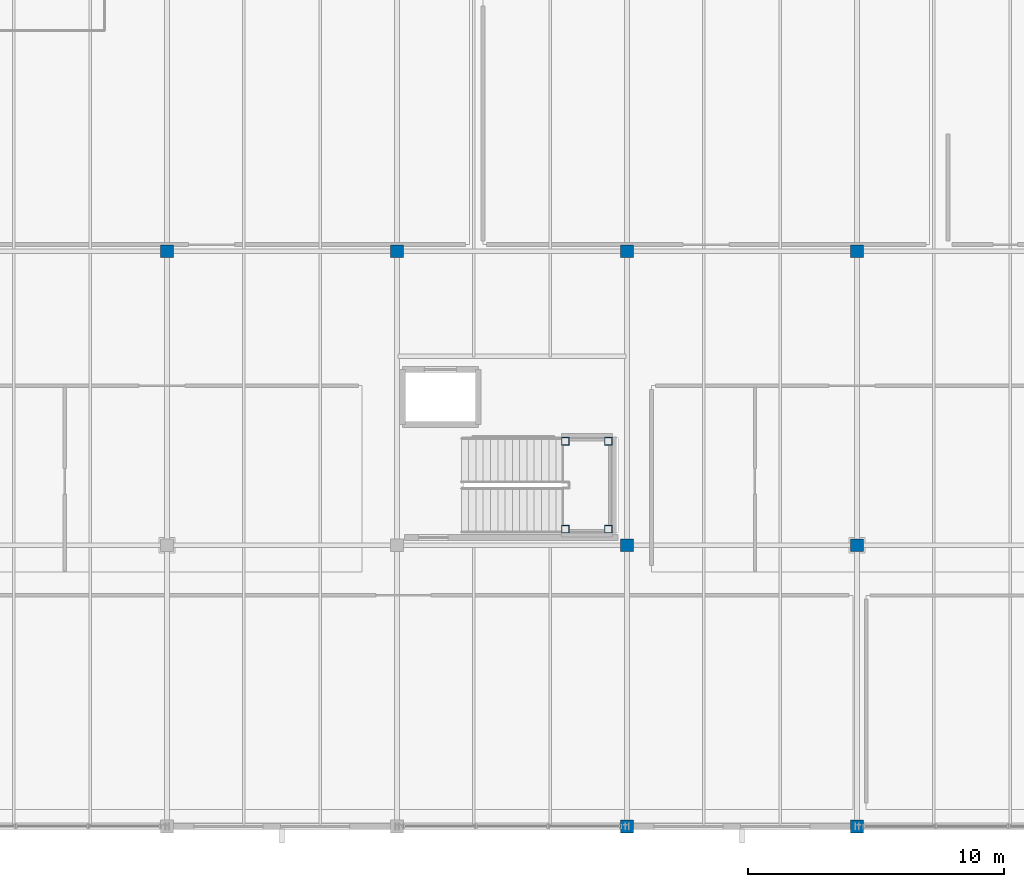
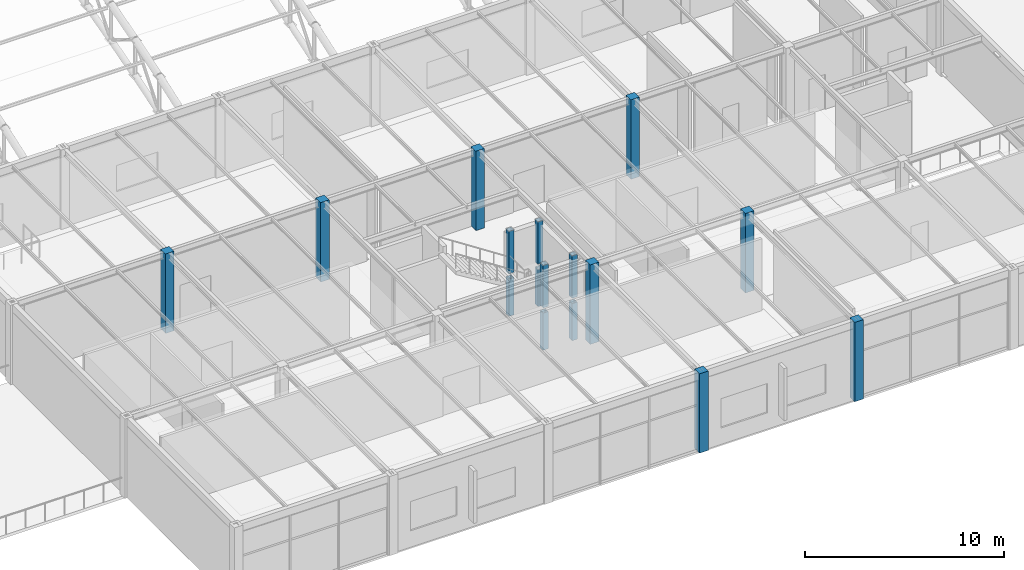
# One storey, part 9 of 195: 16 columns.
"""IFC4 building model written with IfcOpenShell, lengths in metres."""

import ifcopenshell
import ifcopenshell.guid

model = None  # the IFC model being written
_history = None  # IfcOwnerHistory: only IFC2X3 demands one
_inside = {}  # id of a spatial element -> (the spatial element, [elements in it])
_under = {}  # id of a project, library or spatial element -> (it, [spatial elements below it])
_declared = {}  # id of a project -> (the project, [libraries it declares])
_typed = {}  # id of a type object -> (the type object, [elements of that type])
_made_of = {}  # id of a material, layer set ... -> (it, [elements and type objects made of it])


def new_model(schema):
    """Start an empty IFC model of exactly this schema.

    Asked for "IFC4X3", IfcOpenShell would pick the latest addendum, in which some entities
    have other attributes; the version numbers below select the first issue.
    IFC2X3 requires an IfcOwnerHistory on every rooted entity: one is made here for all.
    """
    global model, _history
    if schema == "IFC4X3":
        model = ifcopenshell.file(schema_version=(4, 3, 0, 0))
    else:
        model = ifcopenshell.file(schema=schema)
    _inside.clear()
    _under.clear()
    _declared.clear()
    _typed.clear()
    _made_of.clear()
    _history = None
    if model.schema == "IFC2X3":
        org = make("IfcOrganization", Name="unknown")
        user = make(
            "IfcPersonAndOrganization",
            ThePerson=make("IfcPerson", FamilyName="unknown"),
            TheOrganization=org,
        )
        app = make(
            "IfcApplication",
            ApplicationDeveloper=org,
            Version="unknown",
            ApplicationFullName="unknown",
            ApplicationIdentifier="unknown",
        )
        _history = make(
            "IfcOwnerHistory",
            OwningUser=user,
            OwningApplication=app,
            ChangeAction="ADDED",
            CreationDate=0,
        )
    return model


def make(cls, **values):
    """One entity of the class cls with the attributes given. An attribute that is None is left unset."""
    return model.create_entity(
        cls, **{name: value for name, value in values.items() if value is not None}
    )


def rooted(cls, **values):
    """An entity with a GlobalId (a new one), such as an element, a storey or a relation."""
    return make(cls, GlobalId=ifcopenshell.guid.new(), OwnerHistory=_history, **values)


def si_unit(unit_type, name, prefix=None):
    """IfcSIUnit, for example si_unit("LENGTHUNIT", "METRE", prefix="MILLI")."""
    return make("IfcSIUnit", UnitType=unit_type, Prefix=prefix, Name=name)


def assignment(units):
    """IfcUnitAssignment: the units of a project."""
    return None if units is None else make("IfcUnitAssignment", Units=units)


def point(xyz):
    """IfcCartesianPoint."""
    return None if xyz is None else make("IfcCartesianPoint", Coordinates=xyz)


def direction(xyz):
    """IfcDirection."""
    return None if xyz is None else make("IfcDirection", DirectionRatios=xyz)


def frame(location, z_axis=None, x_axis=None):
    """IfcAxis2Placement3D, a coordinate frame: its origin and axes. An axis left out is left unset."""
    return make(
        "IfcAxis2Placement3D",
        Location=point(location),
        Axis=direction(z_axis),
        RefDirection=direction(x_axis),
    )


def frame_2d(location, x_axis=None):
    """IfcAxis2Placement2D, a coordinate frame in the plane: its origin and x axis."""
    return make(
        "IfcAxis2Placement2D", Location=point(location), RefDirection=direction(x_axis)
    )


def origin():
    """The frame at (0, 0, 0) with its axes left unset."""
    return frame((0.0, 0.0, 0.0))


def origin_2d():
    """The frame at (0, 0) in the plane with its x axis left unset."""
    return frame_2d((0.0, 0.0))


def place(relative_to, where):
    """IfcLocalPlacement: puts the frame where relative to a parent placement (None: the world)."""
    return make(
        "IfcLocalPlacement", PlacementRelTo=relative_to, RelativePlacement=where
    )


def context(
    kind, dimensions, precision=None, world=None, true_north=None, identifier=None
):
    """IfcGeometricRepresentationContext, for example the 3D "Model" context."""
    return make(
        "IfcGeometricRepresentationContext",
        ContextIdentifier=identifier,
        ContextType=kind,
        CoordinateSpaceDimension=dimensions,
        Precision=precision,
        WorldCoordinateSystem=world,
        TrueNorth=true_north,
    )


def subcontext(parent, identifier, kind, view, scale=None):
    """IfcGeometricRepresentationSubContext, for example "Body" below "Model"."""
    return make(
        "IfcGeometricRepresentationSubContext",
        ContextIdentifier=identifier,
        ContextType=kind,
        ParentContext=parent,
        TargetScale=scale,
        TargetView=view,
    )


def project(units=None, contexts=None):
    """IfcProject with its units and contexts."""
    return rooted(
        "IfcProject",
        Name="project",
        RepresentationContexts=contexts,
        UnitsInContext=assignment(units),
    )


def spatial(cls, under=None, at=None, **own):
    """A site, building, storey or space (cls), placed at a placement, below another one or the project."""
    s = rooted(cls, ObjectPlacement=at, **own)
    if under is not None:
        _under.setdefault(under.id(), (under, []))[1].append(s)
    return s


def profile(cls, at=None, kind="AREA", **sizes):
    """A parametric profile (cls). Its sizes go by their IFC names, for example OverallWidth=200.0."""
    return make(cls, ProfileType=kind, Position=at, **sizes)


def rectangle(**sizes):
    """IfcRectangleProfileDef."""
    return profile("IfcRectangleProfileDef", **sizes)


def hollow_rectangle(**sizes):
    """IfcRectangleHollowProfileDef."""
    return profile("IfcRectangleHollowProfileDef", **sizes)


def extrude(swept, where, along, depth):
    """IfcExtrudedAreaSolid: the profile swept, set in the frame where, extruded along a direction by depth."""
    return make(
        "IfcExtrudedAreaSolid",
        SweptArea=swept,
        Position=where,
        ExtrudedDirection=direction(along),
        Depth=depth,
    )


def shape(context_of_items, identifier, shape_type, items):
    """IfcShapeRepresentation: the items that make up one representation, for example the "Body"."""
    return make(
        "IfcShapeRepresentation",
        ContextOfItems=context_of_items,
        RepresentationIdentifier=identifier,
        RepresentationType=shape_type,
        Items=items,
    )


def material(Name=None, Category=None):
    """IfcMaterial."""
    return make("IfcMaterial", Name=Name, Category=Category)


def material_profile(
    of_material, cross_section, Name=None, Category=None, Priority=None
):
    """IfcMaterialProfile: a cross section and its material."""
    return make(
        "IfcMaterialProfile",
        Name=Name,
        Material=of_material,
        Profile=cross_section,
        Priority=Priority,
        Category=Category,
    )


def profile_set(profiles, Name=None, composite=None):
    """IfcMaterialProfileSet."""
    return make(
        "IfcMaterialProfileSet",
        Name=Name,
        MaterialProfiles=profiles,
        CompositeProfile=composite,
    )


def made_of(thing, what):
    """Note that an element or type object is made of a material, layer set ...; save() writes the relation."""
    if what is not None:
        _made_of.setdefault(what.id(), (what, []))[1].append(thing)
    return thing


def type_object(cls, material=None, **own):
    """A type object (cls), such as IfcWallType, which elements share."""
    return made_of(rooted(cls, **own), material)


def element(
    cls,
    number,
    at=None,
    inside=None,
    cuts=None,
    type_object=None,
    material=None,
    context=None,
    identifier="Body",
    shape_type=None,
    held_by="IfcProductDefinitionShape",
    body=None,
    shapes=None,
    **own,
):
    """One element of the class cls, such as IfcWall. Its Tag is "e" and its number.

    at: its placement. inside: the storey or other place that contains it. cuts: it is an
    opening in that element (IfcRelVoidsElement). A single representation is given by context,
    identifier, shape_type and body (its items); several are given by shapes. held_by: the class
    of the entity that holds the representations. save() writes the other relations.
    """
    e = rooted(cls, Tag="e%d" % number, ObjectPlacement=at, **own)
    if body is not None:
        shapes = [shape(context, identifier, shape_type, body)]
    if shapes is not None:
        e.Representation = make(held_by, Representations=shapes)
    if inside is not None:
        _inside.setdefault(inside.id(), (inside, []))[1].append(e)
    if cuts is not None:
        rooted(
            "IfcRelVoidsElement", RelatingBuildingElement=cuts, RelatedOpeningElement=e
        )
    if type_object is not None:
        _typed.setdefault(type_object.id(), (type_object, []))[1].append(e)
    return made_of(e, material)


def aggregate(whole, parts):
    """IfcRelAggregates: a whole, such as a stair, and the parts it consists of."""
    return rooted("IfcRelAggregates", RelatingObject=whole, RelatedObjects=parts)


def save(model, path):
    """Write the relations noted so far, then the file.

    IfcRelAggregates (storeys below a building ...), IfcRelContainedInSpatialStructure (elements
    in a storey), IfcRelDefinesByType, IfcRelAssociatesMaterial and IfcRelDeclares: one each for
    every whole, place, type object, material and project.
    """
    for whole, parts in _under.values():
        aggregate(whole, parts)
    for where, things in _inside.values():
        rooted(
            "IfcRelContainedInSpatialStructure",
            RelatedElements=things,
            RelatingStructure=where,
        )
    for kind, things in _typed.values():
        rooted("IfcRelDefinesByType", RelatedObjects=things, RelatingType=kind)
    for what, things in _made_of.values():
        rooted("IfcRelAssociatesMaterial", RelatedObjects=things, RelatingMaterial=what)
    for by, libraries in _declared.values():
        rooted("IfcRelDeclares", RelatingContext=by, RelatedDefinitions=libraries)
    model.write(path)


model = new_model("IFC4")

# Units and contexts
model_context = context("Model", 3, precision=1e-05, world=origin(), true_north=direction((0.0, 1.0)))
body_context = subcontext(model_context, "Body", "Model", "MODEL_VIEW")
ifc_project = project(units=[si_unit("LENGTHUNIT", "METRE"), si_unit("AREAUNIT", "SQUARE_METRE"), si_unit("VOLUMEUNIT", "CUBIC_METRE"), si_unit("PLANEANGLEUNIT", "RADIAN"), si_unit("MASSUNIT", "GRAM", prefix="KILO")], contexts=[model_context])

# Site, building, storey
site_placement = place(None, origin())
site = spatial("IfcSite", under=ifc_project, at=site_placement, CompositionType="ELEMENT")
building_placement = place(site_placement, origin())
building = spatial("IfcBuilding", under=site, at=building_placement, Name="Marlcrest Central Station", CompositionType="ELEMENT")
storey_placement = place(building_placement, frame((0.0, 0.0, 9.800048828125)))
storey = spatial("IfcBuildingStorey", under=building, at=storey_placement, Name="L02", CompositionType="ELEMENT", Elevation=9.800048828125)

# Columns
ifc_material_1 = material(Name="Concrete C40/50", Category="concrete")
ifc_material_profile_1 = material_profile(ifc_material_1, rectangle(XDim=0.5, YDim=0.5, at=origin_2d()), Name="RC 500x500")
ifc_profile_set_1 = profile_set([ifc_material_profile_1], Name="Concrete C40/50")
column_type_1 = type_object("IfcColumnType", Name="RC-02", PredefinedType="COLUMN", material=ifc_profile_set_1)
for number, where, z_axis, x_axis, name in (
    (1, (162.0, 22.5, 0.0), (0.0, 0.0, 1.0), (1.0, 0.0, 0.0), "col-RC-02-L02-0340"),
    (2, (171.0, 22.5, 0.0), (0.0, 0.0, 1.0), (1.0, 0.0, 0.0), "col-RC-02-L02-0344"),
    (3, (180.0, 0.0, 0.0), (0.0, 0.0, 1.0), (1.0, 0.0, 0.0), "col-RC-02-L02-0346"),
    (4, (180.0, 11.0, 0.0), (0.0, 0.0, 1.0), (1.0, 0.0, 0.0), "col-RC-02-L02-0347"),
    (5, (180.0, 22.5, 0.0), (0.0, 0.0, 1.0), (1.0, 0.0, 0.0), "col-RC-02-L02-0348"),
    (6, (189.0, 0.0, 0.0), (0.0, 0.0, 1.0), (1.0, 0.0, 0.0), "col-RC-02-L02-0350"),
    (7, (189.0, 11.0, 0.0), (0.0, 0.0, 1.0), (1.0, 0.0, 0.0), "col-RC-02-L02-0351"),
    (8, (189.0, 22.5, 0.0), (0.0, 0.0, 1.0), (1.0, 0.0, 0.0), "col-RC-02-L02-0352"),
):
    element("IfcColumn", number, at=place(storey_placement, frame(where, z_axis=z_axis, x_axis=x_axis)), inside=storey, type_object=column_type_1, Name=name, PredefinedType="COLUMN", context=body_context, shape_type="SweptSolid", body=[
        extrude(rectangle(XDim=0.5, YDim=0.5, at=origin_2d()), origin(), (0.0, 0.0, 1.0), 4.869873046875),
    ])
ifc_material_2 = material(Name="Steel S355", Category="steel")
ifc_material_profile_2 = material_profile(ifc_material_2, hollow_rectangle(XDim=0.300048828125, YDim=0.300048828125, WallThickness=0.01611328125, at=origin_2d()), Name="SHS 300x300x16")
ifc_profile_set_2 = profile_set([ifc_material_profile_2], Name="Steel S355")
column_type_2 = type_object("IfcColumnType", Name="SC-19", PredefinedType="COLUMN", material=ifc_profile_set_2)
column_1_placement = place(storey_placement, frame((177.590087890625, 11.6298828125, 0.0), z_axis=(0.0, 0.0, 1.0), x_axis=(1.0, 0.0, 0.0)))
element("IfcColumn", 9, at=column_1_placement, inside=storey, type_object=column_type_2, Name="htcol-lo-0041-0", PredefinedType="COLUMN", context=body_context, shape_type="SweptSolid", body=[
    extrude(hollow_rectangle(XDim=0.300048828125, YDim=0.300048828125, WallThickness=0.01611328125, at=origin_2d()), origin(), (0.0, 0.0, 1.0), 2.280029296875),
])
column_2_placement = place(storey_placement, frame((177.590087890625, 11.6298828125, 2.599853515625), z_axis=(0.0, 0.0, 1.0), x_axis=(1.0, 0.0, 0.0)))
element("IfcColumn", 10, at=column_2_placement, inside=storey, type_object=column_type_2, Name="htcol-hi-0041-0", PredefinedType="COLUMN", context=body_context, shape_type="SweptSolid", body=[
    extrude(hollow_rectangle(XDim=0.300048828125, YDim=0.300048828125, WallThickness=0.01611328125, at=origin_2d()), origin(), (0.0, 0.0, 1.0), 2.60009765625),
])
column_3_placement = place(storey_placement, frame((179.27001953125, 11.6298828125, 0.0), z_axis=(0.0, 0.0, 1.0), x_axis=(1.0, 0.0, 0.0)))
element("IfcColumn", 11, at=column_3_placement, inside=storey, type_object=column_type_2, Name="htcol-lo-0041-1", PredefinedType="COLUMN", context=body_context, shape_type="SweptSolid", body=[
    extrude(hollow_rectangle(XDim=0.300048828125, YDim=0.300048828125, WallThickness=0.01611328125, at=origin_2d()), origin(), (0.0, 0.0, 1.0), 2.280029296875),
])
column_4_placement = place(storey_placement, frame((179.27001953125, 11.6298828125, 2.599853515625), z_axis=(0.0, 0.0, 1.0), x_axis=(1.0, 0.0, 0.0)))
element("IfcColumn", 12, at=column_4_placement, inside=storey, type_object=column_type_2, Name="htcol-hi-0041-1", PredefinedType="COLUMN", context=body_context, shape_type="SweptSolid", body=[
    extrude(hollow_rectangle(XDim=0.300048828125, YDim=0.300048828125, WallThickness=0.01611328125, at=origin_2d()), origin(), (0.0, 0.0, 1.0), 2.60009765625),
])
column_5_placement = place(storey_placement, frame((179.27001953125, 15.070068359375, 0.0), z_axis=(0.0, 0.0, 1.0), x_axis=(1.0, 0.0, 0.0)))
element("IfcColumn", 13, at=column_5_placement, inside=storey, type_object=column_type_2, Name="htcol-lo-0041-2", PredefinedType="COLUMN", context=body_context, shape_type="SweptSolid", body=[
    extrude(hollow_rectangle(XDim=0.300048828125, YDim=0.300048828125, WallThickness=0.01611328125, at=origin_2d()), origin(), (0.0, 0.0, 1.0), 2.280029296875),
])
column_6_placement = place(storey_placement, frame((179.27001953125, 15.070068359375, 2.599853515625), z_axis=(0.0, 0.0, 1.0), x_axis=(1.0, 0.0, 0.0)))
element("IfcColumn", 14, at=column_6_placement, inside=storey, type_object=column_type_2, Name="htcol-hi-0041-2", PredefinedType="COLUMN", context=body_context, shape_type="SweptSolid", body=[
    extrude(hollow_rectangle(XDim=0.300048828125, YDim=0.300048828125, WallThickness=0.01611328125, at=origin_2d()), origin(), (0.0, 0.0, 1.0), 2.60009765625),
])
column_7_placement = place(storey_placement, frame((177.590087890625, 15.070068359375, 0.0), z_axis=(0.0, 0.0, 1.0), x_axis=(1.0, 0.0, 0.0)))
element("IfcColumn", 15, at=column_7_placement, inside=storey, type_object=column_type_2, Name="htcol-lo-0041-3", PredefinedType="COLUMN", context=body_context, shape_type="SweptSolid", body=[
    extrude(hollow_rectangle(XDim=0.300048828125, YDim=0.300048828125, WallThickness=0.01611328125, at=origin_2d()), origin(), (0.0, 0.0, 1.0), 2.280029296875),
])
column_8_placement = place(storey_placement, frame((177.590087890625, 15.070068359375, 2.599853515625), z_axis=(0.0, 0.0, 1.0), x_axis=(1.0, 0.0, 0.0)))
element("IfcColumn", 16, at=column_8_placement, inside=storey, type_object=column_type_2, Name="htcol-hi-0041-3", PredefinedType="COLUMN", context=body_context, shape_type="SweptSolid", body=[
    extrude(hollow_rectangle(XDim=0.300048828125, YDim=0.300048828125, WallThickness=0.01611328125, at=origin_2d()), origin(), (0.0, 0.0, 1.0), 2.60009765625),
])

save(model, "model.ifc")
